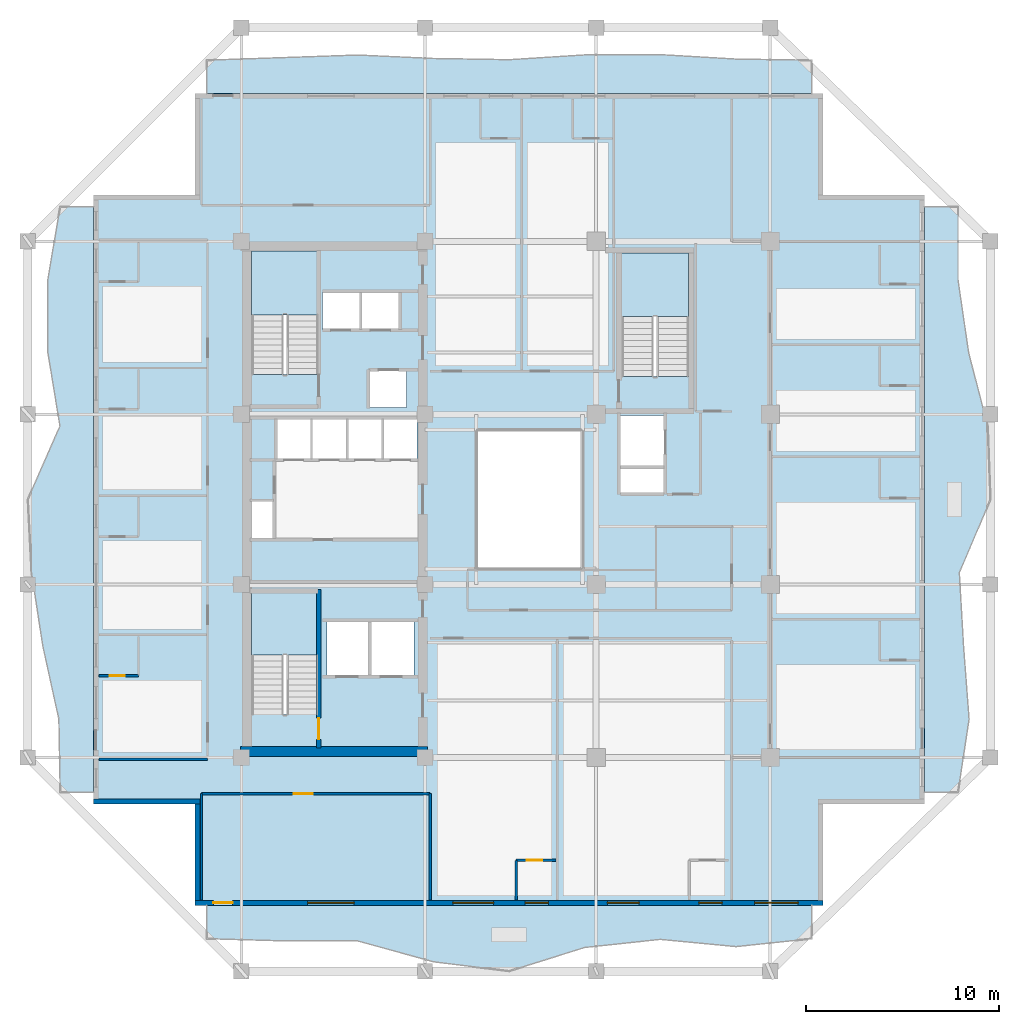
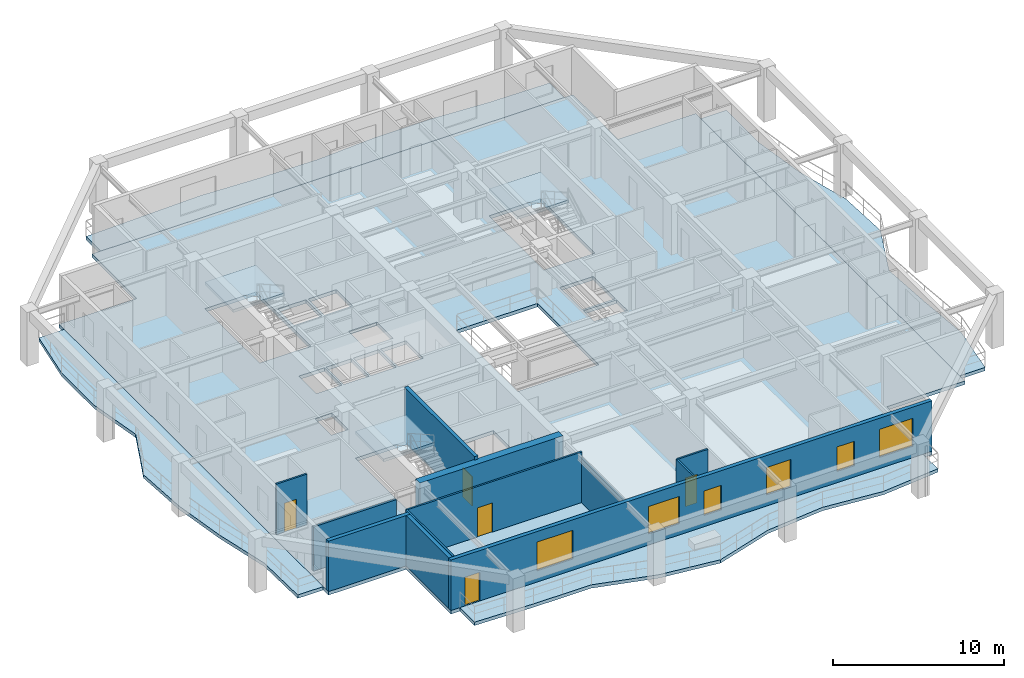
# One storey, part 2 of 13: 12 walls, 8 slabs, 6 windows, 5 doors, 11 openings, 3 elements without a shape of their own.
"""IFC4 building model written with IfcOpenShell, lengths in metres."""

from ifc_helpers import new_model, si_unit, direction, frame, frame_2d, origin, place, context, subcontext, project, spatial, polyline, rectangle, outline, extrude, material, layer, layer_set, type_object, element, fill, aggregate, save


model = new_model("IFC4")

# Units and contexts
model_context = context("Model", 3, precision=1e-05, world=origin(), true_north=direction((0.0, 1.0)))
body_context = subcontext(model_context, "Body", "Model", "MODEL_VIEW")
ifc_project = project(units=[si_unit("LENGTHUNIT", "METRE"), si_unit("AREAUNIT", "SQUARE_METRE"), si_unit("VOLUMEUNIT", "CUBIC_METRE"), si_unit("PLANEANGLEUNIT", "RADIAN"), si_unit("MASSUNIT", "GRAM", prefix="KILO")], contexts=[model_context])

# Site, building, storey
site_placement = place(None, origin())
site = spatial("IfcSite", under=ifc_project, at=site_placement, CompositionType="ELEMENT")
building_placement = place(site_placement, origin())
building = spatial("IfcBuilding", under=site, at=building_placement, Name="Kundavana Baori Tower", CompositionType="ELEMENT")
storey_placement = place(building_placement, frame((0.0, 0.0, 161.75)))
storey = spatial("IfcBuildingStorey", under=building, at=storey_placement, Name="L39", CompositionType="ELEMENT", Elevation=161.75)

# Slab
ifc_material_1 = material(Name="Concrete C40/50", Category="concrete")
ifc_layer_1 = layer(ifc_material_1, 0.25, Name="SLB-FLR-250")
ifc_layer_set_1 = layer_set([ifc_layer_1], Name="Concrete C40/50")
slab_type_1 = type_object("IfcSlabType", Name="SLB-FLR-250", PredefinedType="FLOOR", material=ifc_layer_set_1)
slab_1_placement = place(storey_placement, frame((0.0, 0.0, -0.25)))
element("IfcSlab", 1, at=slab_1_placement, inside=storey, type_object=slab_type_1, Name="L39 Structural Floor Slab", PredefinedType="FLOOR", context=body_context, shape_type="SweptSolid", body=[
    extrude(outline(polyline([(13.050048828125, 7.60009765625), (45.550048828125, 7.60009765625), (45.550048828125, 12.85009765625), (50.800048828125, 12.85009765625), (50.800048828125, 44.35009765625), (45.550048828125, 44.35009765625), (45.550048828125, 49.60009765625), (13.050048828125, 49.60009765625), (13.050048828125, 44.35009765625), (7.800048828125, 44.35009765625), (7.800048828125, 12.85009765625), (13.050048828125, 12.85009765625), (13.050048828125, 7.60009765625)]), holes=[polyline([(19.43994140625, 17.4619140625), (19.43994140625, 23.85009765625), (15.97998046875, 23.85009765625), (15.97998046875, 17.4619140625), (19.43994140625, 17.4619140625)]), polyline([(19.43994140625, 35.06201171875), (19.43994140625, 41.449951171875), (15.97998046875, 41.449951171875), (15.97998046875, 35.06201171875), (19.43994140625, 35.06201171875)]), polyline([(38.580078125, 34.9619140625), (38.580078125, 41.35009765625), (35.1201171875, 41.35009765625), (35.1201171875, 34.9619140625), (38.580078125, 34.9619140625)]), polyline([(17.300048828125, 30.699951171875), (19.02001953125, 30.699951171875), (19.02001953125, 32.75), (17.300048828125, 32.75), (17.300048828125, 30.699951171875)]), polyline([(19.139892578125, 30.699951171875), (20.860107421875, 30.699951171875), (20.860107421875, 32.75), (19.139892578125, 32.75), (19.139892578125, 30.699951171875)]), polyline([(20.97998046875, 30.699951171875), (22.699951171875, 30.699951171875), (22.699951171875, 32.75), (20.97998046875, 32.75), (20.97998046875, 30.699951171875)]), polyline([(22.820068359375, 30.699951171875), (24.5400390625, 30.699951171875), (24.5400390625, 32.75), (22.820068359375, 32.75), (22.820068359375, 30.699951171875)]), polyline([(19.64990234375, 37.39990234375), (21.550048828125, 37.39990234375), (21.550048828125, 39.300048828125), (19.64990234375, 39.300048828125), (19.64990234375, 37.39990234375)]), polyline([(21.699951171875, 37.39990234375), (23.60009765625, 37.39990234375), (23.60009765625, 39.300048828125), (21.699951171875, 39.300048828125), (21.699951171875, 37.39990234375)]), polyline([(22.10009765625, 33.35009765625), (24.0, 33.35009765625), (24.0, 35.25), (22.10009765625, 35.25), (22.10009765625, 33.35009765625)]), polyline([(19.8798828125, 19.5), (22.02001953125, 19.5), (22.02001953125, 22.25), (19.8798828125, 22.25), (19.8798828125, 19.5)]), polyline([(22.179931640625, 19.5), (24.3798828125, 19.5), (24.3798828125, 22.25), (22.179931640625, 22.25), (22.179931640625, 19.5)]), polyline([(35.050048828125, 30.35009765625), (37.300048828125, 30.35009765625), (37.300048828125, 32.949951171875), (35.050048828125, 32.949951171875), (35.050048828125, 30.35009765625)]), polyline([(15.949951171875, 26.60009765625), (17.080078125, 26.60009765625), (17.080078125, 28.5), (15.949951171875, 28.5), (15.949951171875, 26.60009765625)]), polyline([(35.050048828125, 28.949951171875), (37.300048828125, 28.949951171875), (37.300048828125, 30.199951171875), (35.050048828125, 30.199951171875), (35.050048828125, 28.949951171875)]), polyline([(27.60009765625, 25.0), (33.10009765625, 25.0), (33.10009765625, 32.199951171875), (27.60009765625, 32.199951171875), (27.60009765625, 25.0)])]), origin(), (0.0, 0.0, 1.0), 0.25),
])

# Stair, slab
ifc_material_2 = material(Name="Concrete C40/50", Category="concrete")
stair_type = type_object("IfcStairType", Name="STR-DOG-1650", PredefinedType="HALF_TURN_STAIR", material=ifc_material_2)
stair_1_placement = place(storey_placement, origin())
stair_1 = element("IfcStair", 2, at=stair_1_placement, inside=storey, type_object=stair_type, Name="L39 Protected Exit Stair ST1", PredefinedType="HALF_TURN_STAIR")
ifc_material_3 = material(Name="Concrete C40/50", Category="concrete")
ifc_layer_2 = layer(ifc_material_3, 0.199951171875, Name="SLB-LND-200")
ifc_layer_set_2 = layer_set([ifc_layer_2], Name="Concrete C40/50")
slab_type_2 = type_object("IfcSlabType", Name="SLB-LND-200", PredefinedType="LANDING", material=ifc_layer_set_2)
slab_2_placement = place(storey_placement, frame((0.0, 0.0, 1.72509765625)))
slab_2 = element("IfcSlab", 3, at=slab_2_placement, type_object=slab_type_2, Name="ST1 landing 1", PredefinedType="LANDING", context=body_context, shape_type="SweptSolid", body=[
    extrude(outline(polyline([(19.43994140625, 20.550048828125), (19.43994140625, 23.85009765625), (15.97998046875, 23.85009765625), (15.97998046875, 20.550048828125), (19.43994140625, 20.550048828125)])), origin(), (0.0, 0.0, 1.0), 0.199951171875),
])
aggregate(stair_1, [slab_2])

stair_2_placement = place(storey_placement, origin())
stair_2 = element("IfcStair", 4, at=stair_2_placement, inside=storey, type_object=stair_type, Name="L39 Protected Exit Stair ST2", PredefinedType="HALF_TURN_STAIR")
slab_3_placement = place(storey_placement, frame((0.0, 0.0, 1.72509765625)))
slab_3 = element("IfcSlab", 5, at=slab_3_placement, type_object=slab_type_2, Name="ST2 landing 1", PredefinedType="LANDING", context=body_context, shape_type="SweptSolid", body=[
    extrude(outline(polyline([(19.43994140625, 38.14990234375), (19.43994140625, 41.449951171875), (15.97998046875, 41.449951171875), (15.97998046875, 38.14990234375), (19.43994140625, 38.14990234375)])), origin(), (0.0, 0.0, 1.0), 0.199951171875),
])
aggregate(stair_2, [slab_3])

stair_3_placement = place(storey_placement, origin())
stair_3 = element("IfcStair", 6, at=stair_3_placement, inside=storey, type_object=stair_type, Name="L39 Protected Exit Stair ST3", PredefinedType="HALF_TURN_STAIR")
slab_4_placement = place(storey_placement, frame((0.0, 0.0, 1.72509765625)))
slab_4 = element("IfcSlab", 7, at=slab_4_placement, type_object=slab_type_2, Name="ST3 landing 1", PredefinedType="LANDING", context=body_context, shape_type="SweptSolid", body=[
    extrude(outline(polyline([(38.580078125, 38.050048828125), (38.580078125, 41.35009765625), (35.1201171875, 41.35009765625), (35.1201171875, 38.050048828125), (38.580078125, 38.050048828125)])), origin(), (0.0, 0.0, 1.0), 0.199951171875),
])
aggregate(stair_3, [slab_4])

# Slabs
ifc_material_4 = material(Name="Concrete C40/50", Category="concrete")
ifc_layer_3 = layer(ifc_material_4, 0.239990234375, Name="SLB-LOG-240")
ifc_layer_set_3 = layer_set([ifc_layer_3], Name="Concrete C40/50")
slab_type_3 = type_object("IfcSlabType", Name="SLB-LOG-240", PredefinedType="FLOOR", material=ifc_layer_set_3)
slab_5_placement = place(storey_placement, frame((0.0, 0.0, -0.239990234375)))
element("IfcSlab", 8, at=slab_5_placement, inside=storey, type_object=slab_type_3, Name="L39 Planted Loggia Balcony Slab S", PredefinedType="FLOOR", context=body_context, shape_type="SweptSolid", body=[
    extrude(outline(polyline([(13.64990234375, 7.60009765625), (44.949951171875, 7.60009765625), (44.949951171875, 5.8798828125), (41.0380859375, 5.468994140625), (37.125, 5.843017578125), (33.212890625, 5.425048828125), (29.300048828125, 4.199951171875), (25.387939453125, 4.68505859375), (21.47509765625, 5.761962890625), (17.56201171875, 5.76904296875), (13.64990234375, 5.8798828125), (13.64990234375, 7.60009765625)])), origin(), (0.0, 0.0, 1.0), 0.239990234375),
])
slab_6_placement = place(storey_placement, frame((0.0, 0.0, -0.239990234375)))
element("IfcSlab", 9, at=slab_6_placement, inside=storey, type_object=slab_type_3, Name="L39 Planted Loggia Balcony Slab E", PredefinedType="FLOOR", context=body_context, shape_type="SweptSolid", body=[
    extrude(outline(polyline([(50.800048828125, 13.449951171875), (50.800048828125, 43.75), (52.52001953125, 43.75), (52.52001953125, 39.9619140625), (53.073974609375, 36.175048828125), (54.05908203125, 32.387939453125), (54.199951171875, 28.60009765625), (52.589111328125, 24.81201171875), (52.805908203125, 21.02490234375), (53.093994140625, 17.238037109375), (52.52001953125, 13.449951171875), (50.800048828125, 13.449951171875)])), origin(), (0.0, 0.0, 1.0), 0.239990234375),
])
slab_7_placement = place(storey_placement, frame((0.0, 0.0, -0.239990234375)))
element("IfcSlab", 10, at=slab_7_placement, inside=storey, type_object=slab_type_3, Name="L39 Planted Loggia Balcony Slab N", PredefinedType="FLOOR", context=body_context, shape_type="SweptSolid", body=[
    extrude(outline(polyline([(44.949951171875, 49.60009765625), (13.64990234375, 49.60009765625), (13.64990234375, 51.320068359375), (17.56201171875, 51.452880859375), (21.47509765625, 51.5869140625), (25.387939453125, 51.408935546875), (29.300048828125, 51.345947265625), (33.212890625, 51.593994140625), (37.125, 51.60791015625), (41.0380859375, 51.3779296875), (44.949951171875, 51.320068359375), (44.949951171875, 49.60009765625)])), origin(), (0.0, 0.0, 1.0), 0.239990234375),
])
slab_8_placement = place(storey_placement, frame((0.0, 0.0, -0.239990234375)))
element("IfcSlab", 11, at=slab_8_placement, inside=storey, type_object=slab_type_3, Name="L39 Planted Loggia Balcony Slab W", PredefinedType="FLOOR", context=body_context, shape_type="SweptSolid", body=[
    extrude(outline(polyline([(7.800048828125, 43.75), (7.800048828125, 13.449951171875), (6.080078125, 13.449951171875), (6.010986328125, 17.238037109375), (5.177978515625, 21.02490234375), (4.596923828125, 24.81201171875), (4.39990234375, 28.60009765625), (6.06689453125, 32.387939453125), (5.446044921875, 36.175048828125), (5.43798828125, 39.9619140625), (6.080078125, 43.75), (7.800048828125, 43.75)])), origin(), (0.0, 0.0, 1.0), 0.239990234375),
])

# Wall, opening, door
ifc_material_5 = material(Name="Concrete C50/60", Category="concrete")
ifc_layer_4 = layer(ifc_material_5, 0.39990234375, Name="WL-CORE-400")
ifc_layer_set_4 = layer_set([ifc_layer_4], Name="Concrete C50/60")
wall_type_1 = type_object("IfcWallType", Name="WL-CORE-400", PredefinedType="SHEAR", material=ifc_layer_set_4)
wall_1_placement = place(storey_placement, frame((19.4599609375, 15.739990234375, 0.0), z_axis=(0.0, 0.0, 1.0), x_axis=(0.0, 1.0, 0.0)))
wall_1 = element("IfcWall", 12, at=wall_1_placement, inside=storey, type_object=wall_type_1, Name="WL-L39-ST1-E", PredefinedType="SHEAR", context=body_context, shape_type="SweptSolid", body=[
    extrude(rectangle(XDim=8.199951171875, YDim=0.239990234375, at=frame_2d((4.10009765625, 0.0))), origin(), (0.0, 0.0, 1.0), 3.85009765625),
])
opening_1_placement = place(wall_1_placement, frame((0.449951171875, 0.0, 0.0)))
opening_1 = element("IfcOpeningElement", 13, at=opening_1_placement, cuts=wall_1, Name="Opening FD-110", PredefinedType="OPENING", context=body_context, shape_type="SweptSolid", body=[
    extrude(rectangle(XDim=1.10009765625, YDim=2.10009765625, at=frame_2d((0.550048828125, 1.050048828125))), frame((0.0, 0.1298828125, 0.0), z_axis=(0.0, -1.0, 0.0), x_axis=(1.0, 0.0, 0.0)), (0.0, 0.0, 1.0), 0.260009765625),
])
ifc_material_6 = material(Name="Galvanised Steel Fire-Rated Door Leaf", Category="steel")
door_type_1 = type_object("IfcDoorType", Name="DR-FD120-1100", OperationType="NOTDEFINED", PredefinedType="DOOR", material=ifc_material_6)
door_1_placement = place(opening_1_placement, origin())
door_1 = element("IfcDoor", 14, at=door_1_placement, inside=storey, type_object=door_type_1, Name="DR-L39-ST1", OperationType="SINGLE_SWING_LEFT", OverallHeight=2.10009765625, OverallWidth=1.10009765625, PredefinedType="DOOR", context=body_context, shape_type="SweptSolid", body=[
    extrude(rectangle(XDim=1.10009765625, YDim=2.10009765625, at=frame_2d((0.550048828125, 1.050048828125))), frame((0.0, 0.02490234375, 0.0), z_axis=(0.0, -1.0, 0.0), x_axis=(1.0, 0.0, 0.0)), (0.0, 0.0, 1.0), 0.050048828125),
])
fill(opening_1, door_1)

# Wall
ifc_material_7 = material(Name="Concrete C50/60", Category="concrete")
ifc_layer_5 = layer(ifc_material_7, 0.5, Name="WL-CORE-500")
ifc_layer_set_5 = layer_set([ifc_layer_5], Name="Concrete C50/60")
wall_type_2 = type_object("IfcWallType", Name="WL-CORE-500", PredefinedType="SHEAR", material=ifc_layer_set_5)
wall_2_placement = place(storey_placement, frame((15.39990234375, 15.56005859375, 0.0), z_axis=(0.0, 0.0, 1.0), x_axis=(1.0, 0.0, 0.0)))
element("IfcWall", 15, at=wall_2_placement, inside=storey, type_object=wall_type_2, Name="L39 Offset Core South Shear Wall", PredefinedType="SHEAR", context=body_context, shape_type="SweptSolid", body=[
    extrude(rectangle(XDim=9.68017578125, YDim=0.5, at=frame_2d((4.840087890625, 0.0))), origin(), (0.0, 0.0, 1.0), 3.60009765625),
])

# Wall, openings, door, windows
ifc_material_8 = material(Name="Kiln-Fired Terracotta Brick-Slip Masonry on Concrete C40/50", Category="masonry")
ifc_layer_6 = layer(ifc_material_8, 0.260009765625, Name="WL-EXT-BRK-260")
ifc_layer_set_6 = layer_set([ifc_layer_6], Name="Kiln-Fired Terracotta Brick-Slip Masonry on Concrete C40/50")
wall_type_3 = type_object("IfcWallType", Name="WL-EXT-BRK-260", PredefinedType="SOLIDWALL", material=ifc_layer_set_6)
wall_3_placement = place(storey_placement, frame((13.050048828125, 7.72998046875, 0.0), z_axis=(0.0, 0.0, 1.0), x_axis=(1.0, 0.0, 0.0)))
wall_3 = element("IfcWall", 16, at=wall_3_placement, inside=storey, type_object=wall_type_3, Name="L39 Exterior Insulated Facade Wall 01", PredefinedType="SOLIDWALL", context=body_context, shape_type="SweptSolid", body=[
    extrude(rectangle(XDim=32.5, YDim=0.260009765625, at=frame_2d((16.25, 0.0))), origin(), (0.0, 0.0, 1.0), 3.60009765625),
])
opening_2_placement = place(wall_3_placement, frame((0.949951171875, 0.0, 0.0)))
opening_2 = element("IfcOpeningElement", 17, at=opening_2_placement, cuts=wall_3, Name="Opening BD-1", PredefinedType="OPENING", context=body_context, shape_type="SweptSolid", body=[
    extrude(rectangle(XDim=1.0, YDim=2.050048828125, at=frame_2d((0.5, 1.02490234375))), frame((0.0, 0.14013671875, 0.0), z_axis=(0.0, -1.0, 0.0), x_axis=(1.0, 0.0, 0.0)), (0.0, 0.0, 1.0), 0.280029296875),
])
opening_3_placement = place(wall_3_placement, frame((5.830078125, 0.0, 0.800048828125)))
opening_3 = element("IfcOpeningElement", 18, at=opening_3_placement, cuts=wall_3, Name="Opening W-04", PredefinedType="OPENING", context=body_context, shape_type="SweptSolid", body=[
    extrude(rectangle(XDim=2.39990234375, YDim=2.050048828125, at=frame_2d((1.199951171875, 1.02490234375))), frame((0.0, 0.14013671875, 0.0), z_axis=(0.0, -1.0, 0.0), x_axis=(1.0, 0.0, 0.0)), (0.0, 0.0, 1.0), 0.280029296875),
])
opening_4_placement = place(wall_3_placement, frame((13.344970703125, 0.0, 0.800048828125)))
opening_4 = element("IfcOpeningElement", 19, at=opening_4_placement, cuts=wall_3, Name="Opening W-05", PredefinedType="OPENING", context=body_context, shape_type="SweptSolid", body=[
    extrude(rectangle(XDim=2.10009765625, YDim=1.949951171875, at=frame_2d((1.050048828125, 0.97509765625))), frame((0.0, 0.14013671875, 0.0), z_axis=(0.0, -1.0, 0.0), x_axis=(1.0, 0.0, 0.0)), (0.0, 0.0, 1.0), 0.280029296875),
])
opening_5_placement = place(wall_3_placement, frame((17.0849609375, 0.0, 0.800048828125)))
opening_5 = element("IfcOpeningElement", 20, at=opening_5_placement, cuts=wall_3, Name="Opening W-03", PredefinedType="OPENING", context=body_context, shape_type="SweptSolid", body=[
    extrude(rectangle(XDim=1.199951171875, YDim=1.75, at=frame_2d((0.60009765625, 0.875))), frame((0.0, 0.14013671875, 0.0), z_axis=(0.0, -1.0, 0.0), x_axis=(1.0, 0.0, 0.0)), (0.0, 0.0, 1.0), 0.280029296875),
])
opening_6_placement = place(wall_3_placement, frame((21.330078125, 0.0, 0.800048828125)))
opening_6 = element("IfcOpeningElement", 21, at=opening_6_placement, cuts=wall_3, Name="Opening W-08", PredefinedType="OPENING", context=body_context, shape_type="SweptSolid", body=[
    extrude(rectangle(XDim=1.64990234375, YDim=1.949951171875, at=frame_2d((0.824951171875, 0.97509765625))), frame((0.0, 0.14013671875, 0.0), z_axis=(0.0, -1.0, 0.0), x_axis=(1.0, 0.0, 0.0)), (0.0, 0.0, 1.0), 0.280029296875),
])
opening_7_placement = place(wall_3_placement, frame((26.06494140625, 0.0, 0.800048828125)))
opening_7 = element("IfcOpeningElement", 22, at=opening_7_placement, cuts=wall_3, Name="Opening W-03", PredefinedType="OPENING", context=body_context, shape_type="SweptSolid", body=[
    extrude(rectangle(XDim=1.199951171875, YDim=1.75, at=frame_2d((0.60009765625, 0.875))), frame((0.0, 0.14013671875, 0.0), z_axis=(0.0, -1.0, 0.0), x_axis=(1.0, 0.0, 0.0)), (0.0, 0.0, 1.0), 0.280029296875),
])
opening_8_placement = place(wall_3_placement, frame((28.955078125, 0.0, 0.800048828125)))
opening_8 = element("IfcOpeningElement", 23, at=opening_8_placement, cuts=wall_3, Name="Opening W-10", PredefinedType="OPENING", context=body_context, shape_type="SweptSolid", body=[
    extrude(rectangle(XDim=2.25, YDim=2.0, at=frame_2d((1.125, 1.0))), frame((0.0, 0.14013671875, 0.0), z_axis=(0.0, -1.0, 0.0), x_axis=(1.0, 0.0, 0.0)), (0.0, 0.0, 1.0), 0.280029296875),
])
ifc_material_9 = material(Name="Architectural Patinated Bronze Metalwork")
door_type_2 = type_object("IfcDoorType", Name="DR-EXT-LOG-1000", OperationType="NOTDEFINED", PredefinedType="DOOR", material=ifc_material_9)
door_2_placement = place(opening_2_placement, frame((1.0, 0.0, 0.0), z_axis=(0.0, 0.0, 1.0), x_axis=(-1.0, 0.0, 0.0)))
door_2 = element("IfcDoor", 24, at=door_2_placement, inside=storey, type_object=door_type_2, Name="L39 Loggia Balcony Access Door S", OperationType="SINGLE_SWING_LEFT", OverallHeight=2.050048828125, OverallWidth=1.0, PredefinedType="DOOR", context=body_context, shape_type="SweptSolid", body=[
    extrude(rectangle(XDim=1.0, YDim=2.050048828125, at=frame_2d((0.5, 1.02490234375))), frame((0.0, 0.02490234375, 0.0), z_axis=(0.0, -1.0, 0.0), x_axis=(1.0, 0.0, 0.0)), (0.0, 0.0, 1.0), 0.050048828125),
])
fill(opening_2, door_2)
ifc_material_10 = material(Name="Double-Glazed Solar-Control Low-E Insulated Glass", Category="glass")
window_type_1 = type_object("IfcWindowType", Name="WIN-LOG-1200x1750", PartitioningType="SINGLE_PANEL", PredefinedType="WINDOW", material=ifc_material_10)
window_1_placement = place(opening_5_placement, origin())
window_1 = element("IfcWindow", 25, at=window_1_placement, inside=storey, type_object=window_type_1, Name="L39 Recessed Loggia Window S-3", OverallHeight=1.75, OverallWidth=1.199951171875, PartitioningType="SINGLE_PANEL", PredefinedType="WINDOW", context=body_context, shape_type="SweptSolid", body=[
    extrude(rectangle(XDim=1.199951171875, YDim=1.75, at=frame_2d((0.60009765625, 0.875))), frame((0.0, 0.030029296875, 0.0), z_axis=(0.0, -1.0, 0.0), x_axis=(1.0, 0.0, 0.0)), (0.0, 0.0, 1.0), 0.06005859375),
])
fill(opening_5, window_1)
window_2_placement = place(opening_7_placement, origin())
window_2 = element("IfcWindow", 26, at=window_2_placement, inside=storey, type_object=window_type_1, Name="L39 Recessed Loggia Window S-5", OverallHeight=1.75, OverallWidth=1.199951171875, PartitioningType="SINGLE_PANEL", PredefinedType="WINDOW", context=body_context, shape_type="SweptSolid", body=[
    extrude(rectangle(XDim=1.199951171875, YDim=1.75, at=frame_2d((0.60009765625, 0.875))), frame((0.0, 0.030029296875, 0.0), z_axis=(0.0, -1.0, 0.0), x_axis=(1.0, 0.0, 0.0)), (0.0, 0.0, 1.0), 0.06005859375),
])
fill(opening_7, window_2)
ifc_material_11 = material(Name="Double-Glazed Solar-Control Low-E Insulated Glass", Category="glass")
window_type_2 = type_object("IfcWindowType", Name="WIN-LOG-1650x1950", PartitioningType="SINGLE_PANEL", PredefinedType="WINDOW", material=ifc_material_11)
window_3_placement = place(opening_6_placement, origin())
window_3 = element("IfcWindow", 27, at=window_3_placement, inside=storey, type_object=window_type_2, Name="L39 Recessed Loggia Window S-4", OverallHeight=1.949951171875, OverallWidth=1.64990234375, PartitioningType="SINGLE_PANEL", PredefinedType="WINDOW", context=body_context, shape_type="SweptSolid", body=[
    extrude(rectangle(XDim=1.64990234375, YDim=1.949951171875, at=frame_2d((0.824951171875, 0.97509765625))), frame((0.0, 0.030029296875, 0.0), z_axis=(0.0, -1.0, 0.0), x_axis=(1.0, 0.0, 0.0)), (0.0, 0.0, 1.0), 0.06005859375),
])
fill(opening_6, window_3)
ifc_material_12 = material(Name="Double-Glazed Solar-Control Low-E Insulated Glass", Category="glass")
window_type_3 = type_object("IfcWindowType", Name="WIN-LOG-2100x1950", PartitioningType="SINGLE_PANEL", PredefinedType="WINDOW", material=ifc_material_12)
window_4_placement = place(opening_4_placement, origin())
window_4 = element("IfcWindow", 28, at=window_4_placement, inside=storey, type_object=window_type_3, Name="L39 Recessed Loggia Window S-2", OverallHeight=1.949951171875, OverallWidth=2.10009765625, PartitioningType="SINGLE_PANEL", PredefinedType="WINDOW", context=body_context, shape_type="SweptSolid", body=[
    extrude(rectangle(XDim=2.10009765625, YDim=1.949951171875, at=frame_2d((1.050048828125, 0.97509765625))), frame((0.0, 0.030029296875, 0.0), z_axis=(0.0, -1.0, 0.0), x_axis=(1.0, 0.0, 0.0)), (0.0, 0.0, 1.0), 0.06005859375),
])
fill(opening_4, window_4)
ifc_material_13 = material(Name="Double-Glazed Solar-Control Low-E Insulated Glass", Category="glass")
window_type_4 = type_object("IfcWindowType", Name="WIN-LOG-2250x2000", PartitioningType="SINGLE_PANEL", PredefinedType="WINDOW", material=ifc_material_13)
window_5_placement = place(opening_8_placement, origin())
window_5 = element("IfcWindow", 29, at=window_5_placement, inside=storey, type_object=window_type_4, Name="L39 Recessed Loggia Window S-6", OverallHeight=2.0, OverallWidth=2.25, PartitioningType="SINGLE_PANEL", PredefinedType="WINDOW", context=body_context, shape_type="SweptSolid", body=[
    extrude(rectangle(XDim=2.25, YDim=2.0, at=frame_2d((1.125, 1.0))), frame((0.0, 0.030029296875, 0.0), z_axis=(0.0, -1.0, 0.0), x_axis=(1.0, 0.0, 0.0)), (0.0, 0.0, 1.0), 0.06005859375),
])
fill(opening_8, window_5)
ifc_material_14 = material(Name="Double-Glazed Solar-Control Low-E Insulated Glass", Category="glass")
window_type_5 = type_object("IfcWindowType", Name="WIN-LOG-2400x2050", PartitioningType="SINGLE_PANEL", PredefinedType="WINDOW", material=ifc_material_14)
window_6_placement = place(opening_3_placement, origin())
window_6 = element("IfcWindow", 30, at=window_6_placement, inside=storey, type_object=window_type_5, Name="L39 Recessed Loggia Window S-1", OverallHeight=2.050048828125, OverallWidth=2.39990234375, PartitioningType="SINGLE_PANEL", PredefinedType="WINDOW", context=body_context, shape_type="SweptSolid", body=[
    extrude(rectangle(XDim=2.39990234375, YDim=2.050048828125, at=frame_2d((1.199951171875, 1.02490234375))), frame((0.0, 0.030029296875, 0.0), z_axis=(0.0, -1.0, 0.0), x_axis=(1.0, 0.0, 0.0)), (0.0, 0.0, 1.0), 0.06005859375),
])
fill(opening_3, window_6)

# Walls
wall_4_placement = place(storey_placement, frame((7.800048828125, 12.97998046875, 0.0), z_axis=(0.0, 0.0, 1.0), x_axis=(1.0, 0.0, 0.0)))
element("IfcWall", 31, at=wall_4_placement, inside=storey, type_object=wall_type_3, Name="L39 Exterior Insulated Facade Wall 11", PredefinedType="SOLIDWALL", context=body_context, shape_type="SweptSolid", body=[
    extrude(rectangle(XDim=5.510009765625, YDim=0.260009765625, at=frame_2d((2.7548828125, 0.0))), origin(), (0.0, 0.0, 1.0), 3.60009765625),
])
wall_5_placement = place(storey_placement, frame((13.179931640625, 12.85009765625, 0.0), z_axis=(0.0, 0.0, 1.0), x_axis=(0.0, -1.0, 0.0)))
element("IfcWall", 32, at=wall_5_placement, inside=storey, type_object=wall_type_3, Name="L39 Exterior Insulated Facade Wall 12", PredefinedType="SOLIDWALL", context=body_context, shape_type="SweptSolid", body=[
    extrude(rectangle(XDim=4.989990234375, YDim=0.260009765625, at=frame_2d((2.4951171875, 0.0))), origin(), (0.0, 0.0, 1.0), 3.60009765625),
])
ifc_material_15 = material(Name="Autoclaved Aerated Concrete Blockwork Masonry", Category="masonry")
ifc_layer_7 = layer(ifc_material_15, 0.125, Name="WL-WET-120")
ifc_layer_set_7 = layer_set([ifc_layer_7], Name="Autoclaved Aerated Concrete Blockwork Masonry")
wall_type_4 = type_object("IfcWallType", Name="WL-WET-120", PredefinedType="PLUMBINGWALL", material=ifc_layer_set_7)
wall_6_placement = place(storey_placement, frame((8.080078125, 15.159912109375, 0.0), z_axis=(0.0, 0.0, 1.0), x_axis=(1.0, 0.0, 0.0)))
element("IfcWall", 33, at=wall_6_placement, inside=storey, type_object=wall_type_4, Name="WL-L39-HWS", PredefinedType="PLUMBINGWALL", context=body_context, shape_type="SweptSolid", body=[
    extrude(rectangle(XDim=5.619873046875, YDim=0.125, at=frame_2d((2.81005859375, 0.0))), origin(), (0.0, 0.0, 1.0), 3.14990234375),
])

# Wall, opening, door
wall_7_placement = place(storey_placement, frame((13.389892578125, 13.3798828125, 0.0), z_axis=(0.0, 0.0, 1.0), x_axis=(1.0, 0.0, 0.0)))
wall_7 = element("IfcWall", 34, at=wall_7_placement, inside=storey, type_object=wall_type_4, Name="WL-L39-HSC", PredefinedType="PLUMBINGWALL", context=body_context, shape_type="SweptSolid", body=[
    extrude(rectangle(XDim=11.830078125, YDim=0.125, at=frame_2d((5.9150390625, 0.0))), origin(), (0.0, 0.0, 1.0), 3.60009765625),
])
opening_9_placement = place(wall_7_placement, frame((4.760009765625, 0.0, 0.0)))
opening_9 = element("IfcOpeningElement", 35, at=opening_9_placement, cuts=wall_7, Name="Opening ID-100", PredefinedType="OPENING", context=body_context, shape_type="SweptSolid", body=[
    extrude(rectangle(XDim=1.0, YDim=2.080078125, at=frame_2d((0.5, 1.0400390625))), frame((0.0, 0.072509765625, 0.0), z_axis=(0.0, -1.0, 0.0), x_axis=(1.0, 0.0, 0.0)), (0.0, 0.0, 1.0), 0.14501953125),
])
ifc_material_16 = material(Name="Engineered Teak Solid-Core Timber Veneer", Category="wood")
door_type_3 = type_object("IfcDoorType", Name="DR-INT-1000", OperationType="NOTDEFINED", PredefinedType="DOOR", material=ifc_material_16)
door_3_placement = place(opening_9_placement, frame((1.0, 0.0, 0.0), z_axis=(0.0, 0.0, 1.0), x_axis=(-1.0, 0.0, 0.0)))
door_3 = element("IfcDoor", 36, at=door_3_placement, inside=storey, type_object=door_type_3, Name="DR-L39-HMSW", OperationType="SINGLE_SWING_LEFT", OverallHeight=2.080078125, OverallWidth=1.0, PredefinedType="DOOR", context=body_context, shape_type="SweptSolid", body=[
    extrude(rectangle(XDim=1.0, YDim=2.080078125, at=frame_2d((0.5, 1.0400390625))), frame((0.0, 0.02490234375, 0.0), z_axis=(0.0, -1.0, 0.0), x_axis=(1.0, 0.0, 0.0)), (0.0, 0.0, 1.0), 0.050048828125),
])
fill(opening_9, door_3)

# Walls
wall_8_placement = place(storey_placement, frame((13.389892578125, 7.8798828125, 0.0), z_axis=(0.0, 0.0, 1.0), x_axis=(0.0, 1.0, 0.0)))
element("IfcWall", 37, at=wall_8_placement, inside=storey, type_object=wall_type_4, Name="WL-L39-HSCW", PredefinedType="PLUMBINGWALL", context=body_context, shape_type="SweptSolid", body=[
    extrude(rectangle(XDim=5.5, YDim=0.125, at=frame_2d((2.75, 0.0))), origin(), (0.0, 0.0, 1.0), 3.60009765625),
])
wall_9_placement = place(storey_placement, frame((25.219970703125, 7.8798828125, 0.0), z_axis=(0.0, 0.0, 1.0), x_axis=(0.0, 1.0, 0.0)))
element("IfcWall", 38, at=wall_9_placement, inside=storey, type_object=wall_type_4, Name="WL-L39-HSCE", PredefinedType="PLUMBINGWALL", context=body_context, shape_type="SweptSolid", body=[
    extrude(rectangle(XDim=5.5, YDim=0.125, at=frame_2d((2.75, 0.0))), origin(), (0.0, 0.0, 1.0), 3.14990234375),
])

# Wall, opening, door
wall_10_placement = place(storey_placement, frame((8.080078125, 19.469970703125, 0.0), z_axis=(0.0, 0.0, 1.0), x_axis=(1.0, 0.0, 0.0)))
wall_10 = element("IfcWall", 39, at=wall_10_placement, inside=storey, type_object=wall_type_4, Name="WL-L39-HK-W1-BS", PredefinedType="PLUMBINGWALL", context=body_context, shape_type="SweptSolid", body=[
    extrude(rectangle(XDim=2.0498046875, YDim=0.125, at=frame_2d((1.02490234375, 0.0))), origin(), (0.0, 0.0, 1.0), 3.60009765625),
])
opening_10_placement = place(wall_10_placement, frame((0.550048828125, 0.0, 0.0)))
opening_10 = element("IfcOpeningElement", 40, at=opening_10_placement, cuts=wall_10, Name="Opening WD-080", PredefinedType="OPENING", context=body_context, shape_type="SweptSolid", body=[
    extrude(rectangle(XDim=0.800048828125, YDim=2.050048828125, at=frame_2d((0.39990234375, 1.02490234375))), frame((0.0, 0.072509765625, 0.0), z_axis=(0.0, -1.0, 0.0), x_axis=(1.0, 0.0, 0.0)), (0.0, 0.0, 1.0), 0.14501953125),
])
ifc_material_17 = material(Name="Engineered Teak Solid-Core Timber Veneer", Category="wood")
door_type_4 = type_object("IfcDoorType", Name="DR-WET-800", OperationType="NOTDEFINED", PredefinedType="DOOR", material=ifc_material_17)
door_4_placement = place(opening_10_placement, frame((0.800048828125, 0.0, 0.0), z_axis=(0.0, 0.0, 1.0), x_axis=(-1.0, 0.0, 0.0)))
door_4 = element("IfcDoor", 41, at=door_4_placement, inside=storey, type_object=door_type_4, Name="DR-L39-HK-W1-ENS", OperationType="SINGLE_SWING_LEFT", OverallHeight=2.050048828125, OverallWidth=0.800048828125, PredefinedType="DOOR", context=body_context, shape_type="SweptSolid", body=[
    extrude(rectangle(XDim=0.800048828125, YDim=2.050048828125, at=frame_2d((0.39990234375, 1.02490234375))), frame((0.0, 0.02490234375, 0.0), z_axis=(0.0, -1.0, 0.0), x_axis=(1.0, 0.0, 0.0)), (0.0, 0.0, 1.0), 0.050048828125),
])
fill(opening_10, door_4)

# Wall
wall_11_placement = place(storey_placement, frame((29.669921875, 7.8798828125, 0.0), z_axis=(0.0, 0.0, 1.0), x_axis=(0.0, 1.0, 0.0)))
element("IfcWall", 42, at=wall_11_placement, inside=storey, type_object=wall_type_4, Name="WL-L39-HK-S1-BW", PredefinedType="PLUMBINGWALL", context=body_context, shape_type="SweptSolid", body=[
    extrude(rectangle(XDim=2.050048828125, YDim=0.125, at=frame_2d((1.02490234375, 0.0))), origin(), (0.0, 0.0, 1.0), 3.60009765625),
])

# Wall, opening, door
wall_12_placement = place(storey_placement, frame((29.669921875, 9.929931640625, 0.0), z_axis=(0.0, 0.0, 1.0), x_axis=(1.0, 0.0, 0.0)))
wall_12 = element("IfcWall", 43, at=wall_12_placement, inside=storey, type_object=wall_type_4, Name="WL-L39-HK-S1-BN", PredefinedType="PLUMBINGWALL", context=body_context, shape_type="SweptSolid", body=[
    extrude(rectangle(XDim=2.050048828125, YDim=0.125, at=frame_2d((1.02490234375, 0.0))), origin(), (0.0, 0.0, 1.0), 3.60009765625),
])
opening_11_placement = place(wall_12_placement, frame((0.550048828125, 0.0, 0.0)))
opening_11 = element("IfcOpeningElement", 44, at=opening_11_placement, cuts=wall_12, Name="Opening WD-080", PredefinedType="OPENING", context=body_context, shape_type="SweptSolid", body=[
    extrude(rectangle(XDim=0.800048828125, YDim=2.050048828125, at=frame_2d((0.39990234375, 1.02490234375))), frame((0.0, 0.072509765625, 0.0), z_axis=(0.0, -1.0, 0.0), x_axis=(1.0, 0.0, 0.0)), (0.0, 0.0, 1.0), 0.14501953125),
])
door_5_placement = place(opening_11_placement, origin())
door_5 = element("IfcDoor", 45, at=door_5_placement, inside=storey, type_object=door_type_4, Name="DR-L39-HK-S1-ENS", OperationType="SINGLE_SWING_LEFT", OverallHeight=2.050048828125, OverallWidth=0.800048828125, PredefinedType="DOOR", context=body_context, shape_type="SweptSolid", body=[
    extrude(rectangle(XDim=0.800048828125, YDim=2.050048828125, at=frame_2d((0.39990234375, 1.02490234375))), frame((0.0, 0.02490234375, 0.0), z_axis=(0.0, -1.0, 0.0), x_axis=(1.0, 0.0, 0.0)), (0.0, 0.0, 1.0), 0.050048828125),
])
fill(opening_11, door_5)

save(model, "model.ifc")
